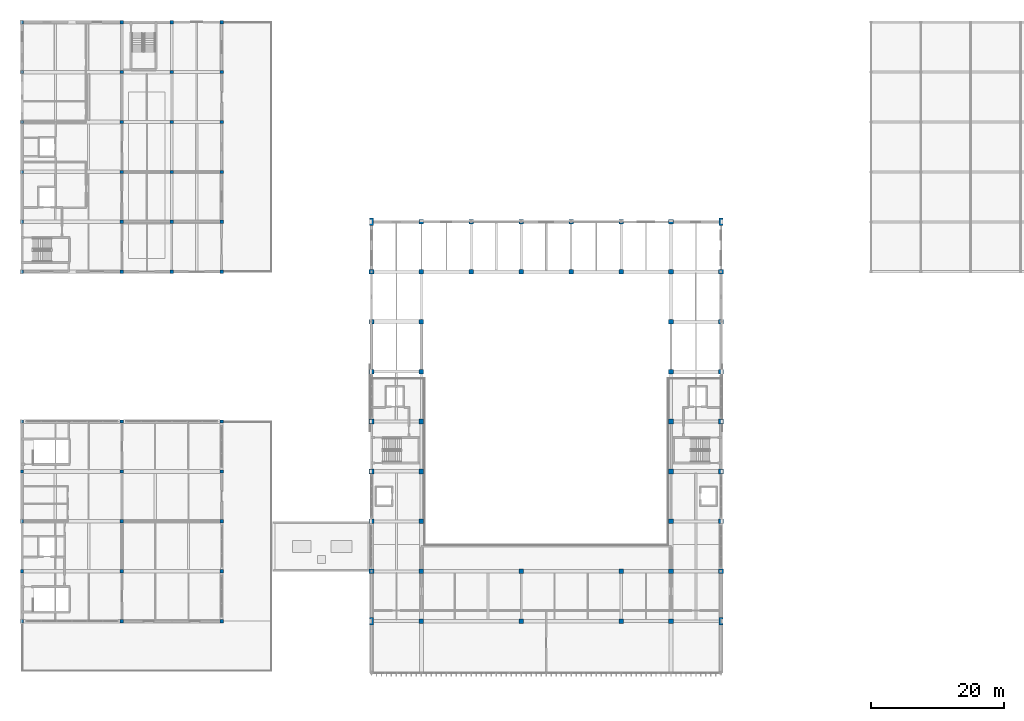
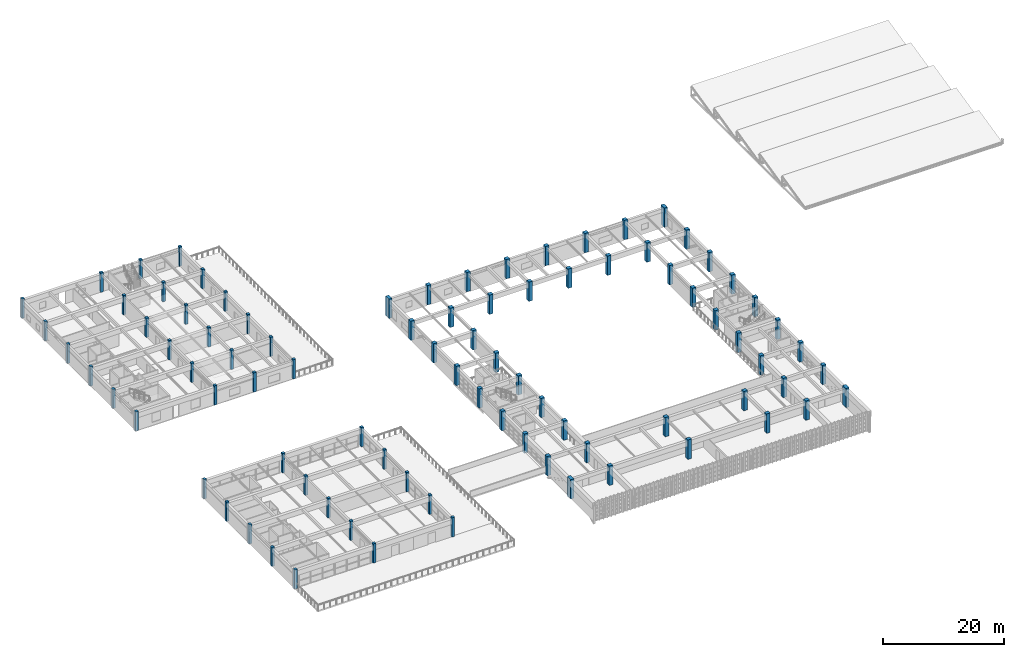
# One storey, part 1 of 82: 87 columns.
"""IFC4 building model written with IfcOpenShell, lengths in metres."""

from ifc_helpers import new_model, si_unit, direction, frame, origin, origin_2d, place, context, subcontext, project, spatial, rectangle, extrude, material, material_profile, profile_set, type_object, element, save


model = new_model("IFC4")

# Units and contexts
model_context = context("Model", 3, precision=1e-05, world=origin(), true_north=direction((0.0, 1.0)))
body_context = subcontext(model_context, "Body", "Model", "MODEL_VIEW")
ifc_project = project(units=[si_unit("LENGTHUNIT", "METRE"), si_unit("AREAUNIT", "SQUARE_METRE"), si_unit("VOLUMEUNIT", "CUBIC_METRE"), si_unit("PLANEANGLEUNIT", "RADIAN"), si_unit("MASSUNIT", "GRAM", prefix="KILO")], contexts=[model_context])

# Site, building, storey
site_placement = place(None, origin())
site = spatial("IfcSite", under=ifc_project, at=site_placement, CompositionType="ELEMENT")
building_placement = place(site_placement, origin())
building = spatial("IfcBuilding", under=site, at=building_placement, Name="Qasida Concert Hall", CompositionType="ELEMENT")
storey_placement = place(building_placement, frame((0.0, 0.0, 17.10009765625)))
storey = spatial("IfcBuildingStorey", under=building, at=storey_placement, Name="L04", CompositionType="ELEMENT", Elevation=17.10009765625)

# Columns
ifc_material = material(Name="Concrete C50/60", Category="concrete")
ifc_material_profile_1 = material_profile(ifc_material, rectangle(XDim=0.699951171875, YDim=0.699951171875, at=origin_2d()), Name="RC 700x700")
ifc_profile_set_1 = profile_set([ifc_material_profile_1], Name="Concrete C50/60")
column_type_1 = type_object("IfcColumnType", Name="COL-C-105", PredefinedType="COLUMN", material=ifc_profile_set_1)
for number, where, z_axis, x_axis, name in (
    (1, (52.5, 30.0, 0.0), (0.0, 0.0, 1.0), (1.0, 0.0, 0.0), "L04 column C-105 (V1)"),
    (2, (52.5, 37.5, 0.0), (0.0, 0.0, 1.0), (1.0, 0.0, 0.0), "L04 column C-105 (V1)"),
    (3, (52.5, 45.0, 0.0), (0.0, 0.0, 1.0), (1.0, 0.0, 0.0), "L04 column C-105 (V1)"),
    (4, (52.5, 52.5, 0.0), (0.0, 0.0, 1.0), (1.0, 0.0, 0.0), "L04 column C-105 (V1)"),
    (5, (52.5, 60.0, 0.0), (0.0, 0.0, 1.0), (1.0, 0.0, 0.0), "L04 column C-105 (V1)"),
    (6, (52.5, 67.5, 0.0), (0.0, 0.0, 1.0), (1.0, 0.0, 0.0), "L04 column C-105 (V1)"),
    (7, (52.5, 75.0, 0.0), (0.0, 0.0, 1.0), (1.0, 0.0, 0.0), "L04 column C-105 (V1)"),
    (8, (60.0, 22.5, 0.0), (0.0, 0.0, 1.0), (1.0, 0.0, 0.0), "L04 column C-105 (V1)"),
    (9, (60.0, 30.0, 0.0), (0.0, 0.0, 1.0), (1.0, 0.0, 0.0), "L04 column C-105 (V1)"),
    (10, (60.0, 37.5, 0.0), (0.0, 0.0, 1.0), (1.0, 0.0, 0.0), "L04 column C-105 (V1)"),
    (11, (60.0, 45.0, 0.0), (0.0, 0.0, 1.0), (1.0, 0.0, 0.0), "L04 column C-105 (V1)"),
    (12, (60.0, 52.5, 0.0), (0.0, 0.0, 1.0), (1.0, 0.0, 0.0), "L04 column C-105 (V1)"),
    (13, (60.0, 60.0, 0.0), (0.0, 0.0, 1.0), (1.0, 0.0, 0.0), "L04 column C-105 (V1)"),
    (14, (60.0, 67.5, 0.0), (0.0, 0.0, 1.0), (1.0, 0.0, 0.0), "L04 column C-105 (V1)"),
    (15, (60.0, 75.0, 0.0), (0.0, 0.0, 1.0), (1.0, 0.0, 0.0), "L04 column C-105 (V1)"),
    (16, (60.0, 82.5, 0.0), (0.0, 0.0, 1.0), (1.0, 0.0, 0.0), "L04 column C-105 (V1)"),
    (17, (67.5, 75.0, 0.0), (0.0, 0.0, 1.0), (1.0, 0.0, 0.0), "L04 column C-105 (V1)"),
    (18, (67.5, 82.5, 0.0), (0.0, 0.0, 1.0), (1.0, 0.0, 0.0), "L04 column C-105 (V1)"),
    (19, (75.0, 22.5, 0.0), (0.0, 0.0, 1.0), (1.0, 0.0, 0.0), "L04 column C-105 (V1)"),
    (20, (75.0, 30.0, 0.0), (0.0, 0.0, 1.0), (1.0, 0.0, 0.0), "L04 column C-105 (V1)"),
    (21, (75.0, 75.0, 0.0), (0.0, 0.0, 1.0), (1.0, 0.0, 0.0), "L04 column C-105 (V1)"),
    (22, (75.0, 82.5, 0.0), (0.0, 0.0, 1.0), (1.0, 0.0, 0.0), "L04 column C-105 (V1)"),
    (23, (82.5, 75.0, 0.0), (0.0, 0.0, 1.0), (1.0, 0.0, 0.0), "L04 column C-105 (V1)"),
    (24, (82.5, 82.5, 0.0), (0.0, 0.0, 1.0), (1.0, 0.0, 0.0), "L04 column C-105 (V1)"),
    (25, (90.0, 22.5, 0.0), (0.0, 0.0, 1.0), (1.0, 0.0, 0.0), "L04 column C-105 (V1)"),
    (26, (90.0, 30.0, 0.0), (0.0, 0.0, 1.0), (1.0, 0.0, 0.0), "L04 column C-105 (V1)"),
    (27, (90.0, 75.0, 0.0), (0.0, 0.0, 1.0), (1.0, 0.0, 0.0), "L04 column C-105 (V1)"),
    (28, (90.0, 82.5, 0.0), (0.0, 0.0, 1.0), (1.0, 0.0, 0.0), "L04 column C-105 (V1)"),
    (29, (97.5, 22.5, 0.0), (0.0, 0.0, 1.0), (1.0, 0.0, 0.0), "L04 column C-105 (V1)"),
    (30, (97.5, 30.0, 0.0), (0.0, 0.0, 1.0), (1.0, 0.0, 0.0), "L04 column C-105 (V1)"),
    (31, (97.5, 37.5, 0.0), (0.0, 0.0, 1.0), (1.0, 0.0, 0.0), "L04 column C-105 (V1)"),
    (32, (97.5, 45.0, 0.0), (0.0, 0.0, 1.0), (1.0, 0.0, 0.0), "L04 column C-105 (V1)"),
    (33, (97.5, 52.5, 0.0), (0.0, 0.0, 1.0), (1.0, 0.0, 0.0), "L04 column C-105 (V1)"),
    (34, (97.5, 60.0, 0.0), (0.0, 0.0, 1.0), (1.0, 0.0, 0.0), "L04 column C-105 (V1)"),
    (35, (97.5, 67.5, 0.0), (0.0, 0.0, 1.0), (1.0, 0.0, 0.0), "L04 column C-105 (V1)"),
    (36, (97.5, 75.0, 0.0), (0.0, 0.0, 1.0), (1.0, 0.0, 0.0), "L04 column C-105 (V1)"),
    (37, (97.5, 82.5, 0.0), (0.0, 0.0, 1.0), (1.0, 0.0, 0.0), "L04 column C-105 (V1)"),
    (38, (105.0, 30.0, 0.0), (0.0, 0.0, 1.0), (1.0, 0.0, 0.0), "L04 column C-105 (V1)"),
    (39, (105.0, 37.5, 0.0), (0.0, 0.0, 1.0), (1.0, 0.0, 0.0), "L04 column C-105 (V1)"),
    (40, (105.0, 45.0, 0.0), (0.0, 0.0, 1.0), (1.0, 0.0, 0.0), "L04 column C-105 (V1)"),
    (41, (105.0, 52.5, 0.0), (0.0, 0.0, 1.0), (1.0, 0.0, 0.0), "L04 column C-105 (V1)"),
    (42, (105.0, 60.0, 0.0), (0.0, 0.0, 1.0), (1.0, 0.0, 0.0), "L04 column C-105 (V1)"),
    (43, (105.0, 67.5, 0.0), (0.0, 0.0, 1.0), (1.0, 0.0, 0.0), "L04 column C-105 (V1)"),
    (44, (105.0, 75.0, 0.0), (0.0, 0.0, 1.0), (1.0, 0.0, 0.0), "L04 column C-105 (V1)"),
):
    element("IfcColumn", number, at=place(storey_placement, frame(where, z_axis=z_axis, x_axis=x_axis)), inside=storey, type_object=column_type_1, Name=name, PredefinedType="COLUMN", context=body_context, shape_type="SweptSolid", body=[
        extrude(rectangle(XDim=0.699951171875, YDim=0.699951171875, at=origin_2d()), origin(), (0.0, 0.0, 1.0), 3.89990234375),
    ])
ifc_material_profile_2 = material_profile(ifc_material, rectangle(XDim=0.5, YDim=0.5, at=origin_2d()), Name="RC 500x500")
ifc_profile_set_2 = profile_set([ifc_material_profile_2], Name="Concrete C50/60")
column_type_2 = type_object("IfcColumnType", Name="COL-C-109", PredefinedType="COLUMN", material=ifc_profile_set_2)
for number, where, z_axis, x_axis, name in (
    (45, (0.0, 22.5, 0.0), (0.0, 0.0, 1.0), (1.0, 0.0, 0.0), "L04 column C-109 (V3)"),
    (46, (0.0, 30.0, 0.0), (0.0, 0.0, 1.0), (1.0, 0.0, 0.0), "L04 column C-109 (V3)"),
    (47, (0.0, 37.5, 0.0), (0.0, 0.0, 1.0), (1.0, 0.0, 0.0), "L04 column C-109 (V3)"),
    (48, (0.0, 45.0, 0.0), (0.0, 0.0, 1.0), (1.0, 0.0, 0.0), "L04 column C-109 (V3)"),
    (49, (0.0, 52.5, 0.0), (0.0, 0.0, 1.0), (1.0, 0.0, 0.0), "L04 column C-109 (V3)"),
    (50, (15.0, 22.5, 0.0), (0.0, 0.0, 1.0), (1.0, 0.0, 0.0), "L04 column C-109 (V3)"),
    (51, (15.0, 30.0, 0.0), (0.0, 0.0, 1.0), (1.0, 0.0, 0.0), "L04 column C-109 (V3)"),
    (52, (15.0, 37.5, 0.0), (0.0, 0.0, 1.0), (1.0, 0.0, 0.0), "L04 column C-109 (V3)"),
    (53, (15.0, 45.0, 0.0), (0.0, 0.0, 1.0), (1.0, 0.0, 0.0), "L04 column C-109 (V3)"),
    (54, (15.0, 52.5, 0.0), (0.0, 0.0, 1.0), (1.0, 0.0, 0.0), "L04 column C-109 (V3)"),
    (55, (30.0, 22.5, 0.0), (0.0, 0.0, 1.0), (1.0, 0.0, 0.0), "L04 column C-109 (V3)"),
    (56, (30.0, 30.0, 0.0), (0.0, 0.0, 1.0), (1.0, 0.0, 0.0), "L04 column C-109 (V3)"),
    (57, (30.0, 37.5, 0.0), (0.0, 0.0, 1.0), (1.0, 0.0, 0.0), "L04 column C-109 (V3)"),
    (58, (30.0, 45.0, 0.0), (0.0, 0.0, 1.0), (1.0, 0.0, 0.0), "L04 column C-109 (V3)"),
    (59, (30.0, 52.5, 0.0), (0.0, 0.0, 1.0), (1.0, 0.0, 0.0), "L04 column C-109 (V3)"),
    (60, (0.0, 75.0, 0.0), (0.0, 0.0, 1.0), (1.0, 0.0, 0.0), "L04 column C-109 (V5)"),
    (61, (0.0, 82.5, 0.0), (0.0, 0.0, 1.0), (1.0, 0.0, 0.0), "L04 column C-109 (V5)"),
    (62, (0.0, 90.0, 0.0), (0.0, 0.0, 1.0), (1.0, 0.0, 0.0), "L04 column C-109 (V5)"),
    (63, (0.0, 97.5, 0.0), (0.0, 0.0, 1.0), (1.0, 0.0, 0.0), "L04 column C-109 (V5)"),
    (64, (0.0, 105.0, 0.0), (0.0, 0.0, 1.0), (1.0, 0.0, 0.0), "L04 column C-109 (V5)"),
    (65, (0.0, 112.5, 0.0), (0.0, 0.0, 1.0), (1.0, 0.0, 0.0), "L04 column C-109 (V5)"),
    (66, (15.0, 75.0, 0.0), (0.0, 0.0, 1.0), (1.0, 0.0, 0.0), "L04 column C-109 (V5)"),
    (67, (15.0, 82.5, 0.0), (0.0, 0.0, 1.0), (1.0, 0.0, 0.0), "L04 column C-109 (V5)"),
    (68, (15.0, 90.0, 0.0), (0.0, 0.0, 1.0), (1.0, 0.0, 0.0), "L04 column C-109 (V5)"),
    (69, (15.0, 97.5, 0.0), (0.0, 0.0, 1.0), (1.0, 0.0, 0.0), "L04 column C-109 (V5)"),
    (70, (15.0, 105.0, 0.0), (0.0, 0.0, 1.0), (1.0, 0.0, 0.0), "L04 column C-109 (V5)"),
    (71, (15.0, 112.5, 0.0), (0.0, 0.0, 1.0), (1.0, 0.0, 0.0), "L04 column C-109 (V5)"),
    (72, (22.5, 75.0, 0.0), (0.0, 0.0, 1.0), (1.0, 0.0, 0.0), "L04 column C-109 (V5)"),
    (73, (22.5, 82.5, 0.0), (0.0, 0.0, 1.0), (1.0, 0.0, 0.0), "L04 column C-109 (V5)"),
    (74, (22.5, 90.0, 0.0), (0.0, 0.0, 1.0), (1.0, 0.0, 0.0), "L04 column C-109 (V5)"),
    (75, (22.5, 97.5, 0.0), (0.0, 0.0, 1.0), (1.0, 0.0, 0.0), "L04 column C-109 (V5)"),
    (76, (22.5, 105.0, 0.0), (0.0, 0.0, 1.0), (1.0, 0.0, 0.0), "L04 column C-109 (V5)"),
    (77, (22.5, 112.5, 0.0), (0.0, 0.0, 1.0), (1.0, 0.0, 0.0), "L04 column C-109 (V5)"),
    (78, (30.0, 75.0, 0.0), (0.0, 0.0, 1.0), (1.0, 0.0, 0.0), "L04 column C-109 (V5)"),
    (79, (30.0, 82.5, 0.0), (0.0, 0.0, 1.0), (1.0, 0.0, 0.0), "L04 column C-109 (V5)"),
    (80, (30.0, 90.0, 0.0), (0.0, 0.0, 1.0), (1.0, 0.0, 0.0), "L04 column C-109 (V5)"),
    (81, (30.0, 97.5, 0.0), (0.0, 0.0, 1.0), (1.0, 0.0, 0.0), "L04 column C-109 (V5)"),
    (82, (30.0, 105.0, 0.0), (0.0, 0.0, 1.0), (1.0, 0.0, 0.0), "L04 column C-109 (V5)"),
    (83, (30.0, 112.5, 0.0), (0.0, 0.0, 1.0), (1.0, 0.0, 0.0), "L04 column C-109 (V5)"),
):
    element("IfcColumn", number, at=place(storey_placement, frame(where, z_axis=z_axis, x_axis=x_axis)), inside=storey, type_object=column_type_2, Name=name, PredefinedType="COLUMN", context=body_context, shape_type="SweptSolid", body=[
        extrude(rectangle(XDim=0.5, YDim=0.5, at=origin_2d()), origin(), (0.0, 0.0, 1.0), 3.89990234375),
    ])
ifc_material_profile_3 = material_profile(ifc_material, rectangle(XDim=0.60009765625, YDim=1.10009765625, at=origin_2d()), Name="RC 600x1100")
ifc_profile_set_3 = profile_set([ifc_material_profile_3], Name="Concrete C50/60")
column_type_3 = type_object("IfcColumnType", Name="COL-C-112", PredefinedType="COLUMN", material=ifc_profile_set_3)
for number, where, z_axis, x_axis, name in (
    (84, (52.5, 22.5, 0.0), (0.0, 0.0, 1.0), (1.0, 0.0, 0.0), "L04 column C-112 (V1)"),
    (85, (52.5, 82.5, 0.0), (0.0, 0.0, 1.0), (1.0, 0.0, 0.0), "L04 column C-112 (V1)"),
    (86, (105.0, 22.5, 0.0), (0.0, 0.0, 1.0), (1.0, 0.0, 0.0), "L04 column C-112 (V1)"),
    (87, (105.0, 82.5, 0.0), (0.0, 0.0, 1.0), (1.0, 0.0, 0.0), "L04 column C-112 (V1)"),
):
    element("IfcColumn", number, at=place(storey_placement, frame(where, z_axis=z_axis, x_axis=x_axis)), inside=storey, type_object=column_type_3, Name=name, PredefinedType="COLUMN", context=body_context, shape_type="SweptSolid", body=[
        extrude(rectangle(XDim=0.60009765625, YDim=1.10009765625, at=origin_2d()), origin(), (0.0, 0.0, 1.0), 3.89990234375),
    ])

save(model, "model.ifc")
